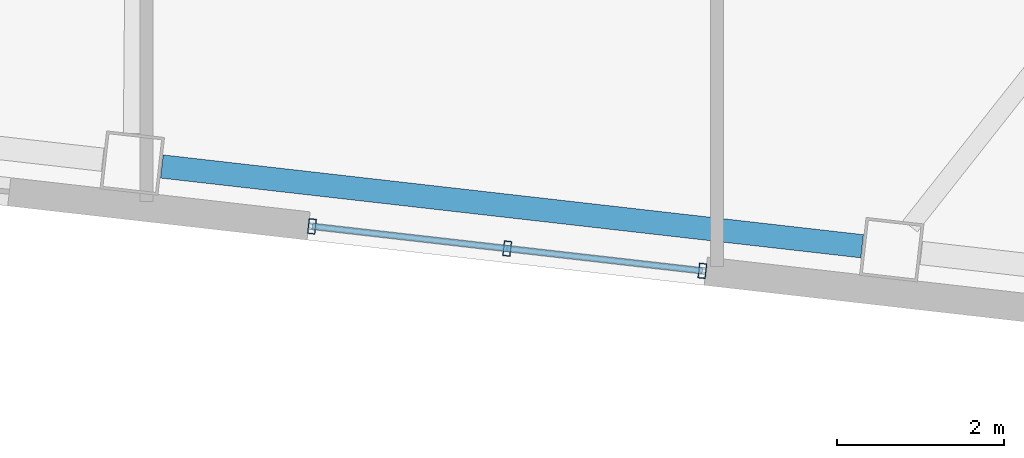
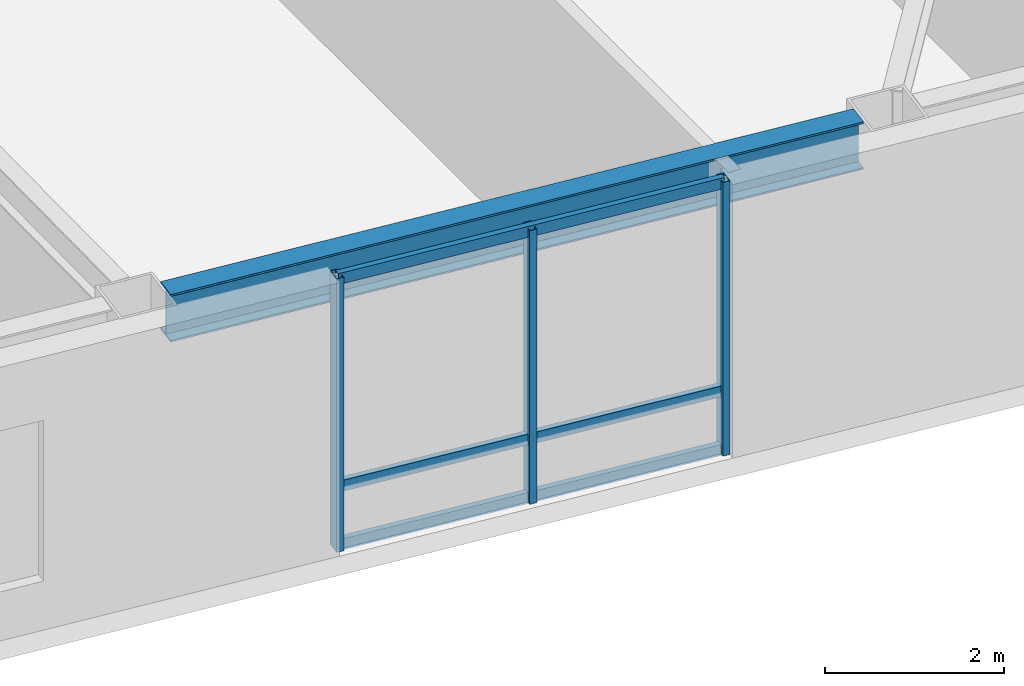
# One storey, part 4 of 21: 6 members, 1 beam, 1 element without a shape of its own.
"""IFC4 building model written with IfcOpenShell, lengths in metres."""

from ifc_helpers import new_model, si_unit, direction, frame, origin, origin_2d, place, context, subcontext, project, spatial, hollow_rectangle, i_section, extrude, material, layer, layer_set, material_profile, profile_set, type_object, element, aggregate, save


model = new_model("IFC4")

# Units and contexts
model_context = context("Model", 3, precision=1e-05, world=origin(), true_north=direction((0.0, 1.0)))
body_context = subcontext(model_context, "Body", "Model", "MODEL_VIEW")
ifc_project = project(units=[si_unit("LENGTHUNIT", "METRE"), si_unit("AREAUNIT", "SQUARE_METRE"), si_unit("VOLUMEUNIT", "CUBIC_METRE"), si_unit("PLANEANGLEUNIT", "RADIAN"), si_unit("MASSUNIT", "GRAM", prefix="KILO")], contexts=[model_context])

# Site, building, storey
site_placement = place(None, origin())
site = spatial("IfcSite", under=ifc_project, at=site_placement, CompositionType="ELEMENT")
building_placement = place(site_placement, origin())
building = spatial("IfcBuilding", under=site, at=building_placement, Name="Tavrogorsk Clinical Tower", CompositionType="ELEMENT")
storey_placement = place(building_placement, frame((0.0, 0.0, 125.39990234375)))
storey = spatial("IfcBuildingStorey", under=building, at=storey_placement, Name="L28", CompositionType="ELEMENT", Elevation=125.39990234375)

# Curtain wall, members
ifc_material_1 = material(Name="Anodised aluminium and triple IGU glazing", Category="aluminium")
ifc_layer = layer(ifc_material_1, 0.179931640625)
ifc_layer_set = layer_set([ifc_layer], Name="Anodised aluminium and triple IGU glazing")
curtain_wall_type = type_object("IfcCurtainWallType", Name="CW3_SouthSlot", PredefinedType="NOTDEFINED", material=ifc_layer_set)
curtain_wall_placement = place(storey_placement, origin())
curtain_wall = element("IfcCurtainWall", 1, at=curtain_wall_placement, inside=storey, type_object=curtain_wall_type, Name="L28 Curtain Wall CW-L28-S-SLOT-2", PredefinedType="NOTDEFINED")
ifc_material_2 = material(Name="Anodised aluminium alloy AW-6060", Category="aluminium")
ifc_material_profile_1 = material_profile(ifc_material_2, hollow_rectangle(XDim=0.090087890625, YDim=0.179931640625, WallThickness=0.00634765625, at=origin_2d()), Name="RHS-180x90x6.3")
ifc_profile_set_1 = profile_set([ifc_material_profile_1], Name="Anodised aluminium alloy AW-6060")
member_type_1 = type_object("IfcMemberType", Name="CwMullion_180x90", PredefinedType="MULLION", material=ifc_profile_set_1)
member_1_placement = place(storey_placement, frame((6.38623046875, -27.04345703125, 0.0), z_axis=(0.0, 0.0, 1.0), x_axis=(0.993571858269, -0.113203191016, 0.0)))
member_1 = element("IfcMember", 2, at=member_1_placement, type_object=member_type_1, Name="CW-L28-S-SLOT-2 Mullion 1", PredefinedType="MULLION", context=body_context, shape_type="SweptSolid", body=[
    extrude(hollow_rectangle(XDim=0.090087890625, YDim=0.179931640625, WallThickness=0.00634765625, at=origin_2d()), origin(), (0.0, 0.0, 1.0), 3.739990234375),
])
member_2_placement = place(storey_placement, frame((8.72998046875, -27.310546875, 0.0), z_axis=(0.0, 0.0, 1.0), x_axis=(0.993571858269, -0.113203191016, 0.0)))
member_2 = element("IfcMember", 3, at=member_2_placement, type_object=member_type_1, Name="CW-L28-S-SLOT-2 Mullion 2", PredefinedType="MULLION", context=body_context, shape_type="SweptSolid", body=[
    extrude(hollow_rectangle(XDim=0.090087890625, YDim=0.179931640625, WallThickness=0.00634765625, at=origin_2d()), origin(), (0.0, 0.0, 1.0), 3.739990234375),
])
member_3_placement = place(storey_placement, frame((11.07373046875, -27.57763671875, 0.0), z_axis=(0.0, 0.0, 1.0), x_axis=(0.993571858269, -0.113203191016, 0.0)))
member_3 = element("IfcMember", 4, at=member_3_placement, type_object=member_type_1, Name="CW-L28-S-SLOT-2 Mullion 3", PredefinedType="MULLION", context=body_context, shape_type="SweptSolid", body=[
    extrude(hollow_rectangle(XDim=0.090087890625, YDim=0.179931640625, WallThickness=0.00634765625, at=origin_2d()), origin(), (0.0, 0.0, 1.0), 3.739990234375),
])
ifc_material_3 = material(Name="Anodised aluminium alloy AW-6060", Category="aluminium")
ifc_material_profile_2 = material_profile(ifc_material_3, hollow_rectangle(XDim=0.074951171875, YDim=0.14990234375, WallThickness=0.0048828125, at=origin_2d()), Name="RHS-150x75x5")
ifc_profile_set_2 = profile_set([ifc_material_profile_2], Name="Anodised aluminium alloy AW-6060")
member_type_2 = type_object("IfcMemberType", Name="CwTransom_150x75", PredefinedType="USERDEFINED", material=ifc_profile_set_2)
member_4_placement = place(storey_placement, frame((6.38623046875, -27.04345703125, 0.050048828125), z_axis=(0.993569315854, -0.113225503286, 0.0), x_axis=(0.113225503286, 0.993569315854, 0.0)))
member_4 = element("IfcMember", 5, at=member_4_placement, type_object=member_type_2, Name="CW-L28-S-SLOT-2 Transom 1", ObjectType="TRANSOM", PredefinedType="USERDEFINED", context=body_context, shape_type="SweptSolid", body=[
    extrude(hollow_rectangle(XDim=0.074951171875, YDim=0.14990234375, WallThickness=0.0048828125, at=origin_2d()), origin(), (0.0, 0.0, 1.0), 4.7177734375),
])
member_5_placement = place(storey_placement, frame((6.38623046875, -27.04345703125, 0.85009765625), z_axis=(0.993569315854, -0.113225503286, 0.0), x_axis=(0.113225503286, 0.993569315854, 0.0)))
member_5 = element("IfcMember", 6, at=member_5_placement, type_object=member_type_2, Name="CW-L28-S-SLOT-2 Transom 2", ObjectType="TRANSOM", PredefinedType="USERDEFINED", context=body_context, shape_type="SweptSolid", body=[
    extrude(hollow_rectangle(XDim=0.074951171875, YDim=0.14990234375, WallThickness=0.0048828125, at=origin_2d()), origin(), (0.0, 0.0, 1.0), 4.7177734375),
])
member_6_placement = place(storey_placement, frame((6.38623046875, -27.04345703125, 3.690185546875), z_axis=(0.993569315854, -0.113225503286, 0.0), x_axis=(0.113225503286, 0.993569315854, 0.0)))
member_6 = element("IfcMember", 7, at=member_6_placement, type_object=member_type_2, Name="CW-L28-S-SLOT-2 Transom 3", ObjectType="TRANSOM", PredefinedType="USERDEFINED", context=body_context, shape_type="SweptSolid", body=[
    extrude(hollow_rectangle(XDim=0.074951171875, YDim=0.14990234375, WallThickness=0.0048828125, at=origin_2d()), origin(), (0.0, 0.0, 1.0), 4.7177734375),
])
aggregate(curtain_wall, [member_1, member_2, member_3, member_4, member_5, member_6])

# Beam
ifc_material_4 = material(Name="Structural steel S390", Category="steel")
ifc_material_profile_3 = material_profile(ifc_material_4, i_section(OverallWidth=0.280029296875, OverallDepth=0.64990234375, WebThickness=0.01611328125, FlangeThickness=0.02490234375, at=origin_2d()), Name="B-650x280x16x25")
ifc_profile_set_3 = profile_set([ifc_material_profile_3], Name="Structural steel S390")
beam_type = type_object("IfcBeamType", Name="SpandrelBeam_B650", PredefinedType="SPANDREL", material=ifc_profile_set_3)
beam_placement = place(storey_placement, frame((4.584228515625, -26.324951171875, 3.4150390625), z_axis=(0.99357306506, -0.113192598642, 0.0), x_axis=(0.113192598642, 0.99357306506, 0.0)))
element("IfcBeam", 8, at=beam_placement, inside=storey, type_object=beam_type, Name="L28 Perimeter Spandrel S5-S6", PredefinedType="SPANDREL", context=body_context, shape_type="SweptSolid", body=[
    extrude(i_section(OverallWidth=0.280029296875, OverallDepth=0.64990234375, WebThickness=0.01611328125, FlangeThickness=0.02490234375, at=origin_2d()), origin(), (0.0, 0.0, 1.0), 8.46142578125),
])

save(model, "model.ifc")
